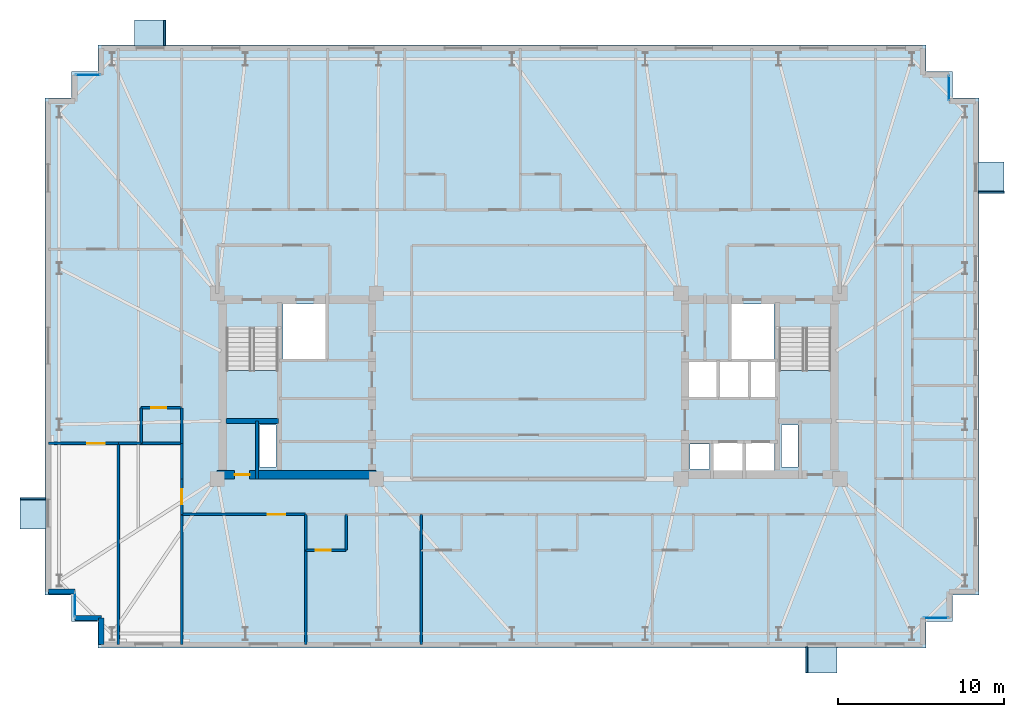
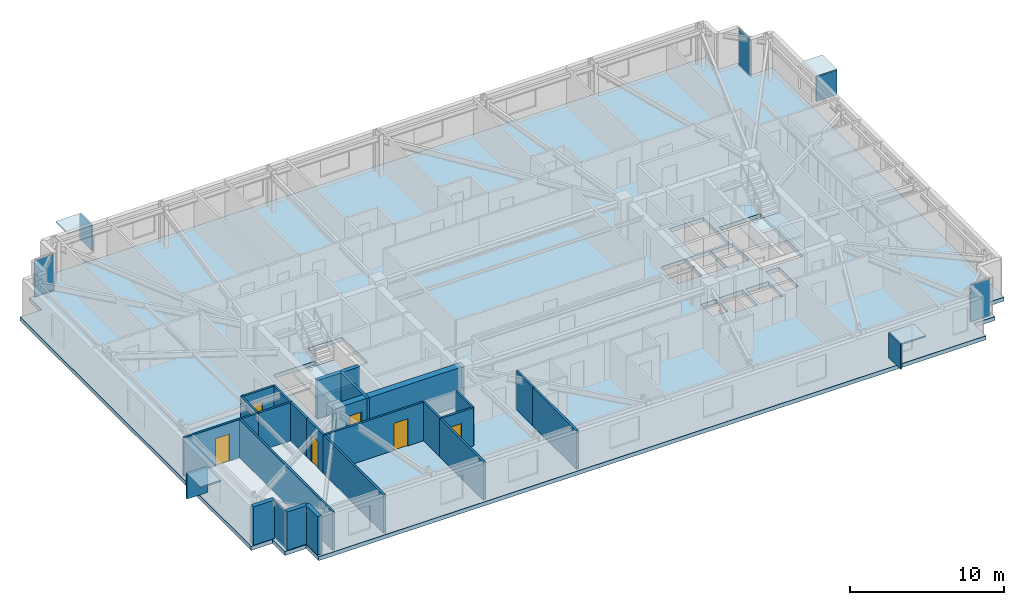
# One storey, part 10 of 17: 23 walls, 12 plates, 6 doors, 3 slabs, 6 openings, 6 elements without a shape of their own.
"""IFC4 building model written with IfcOpenShell, lengths in metres."""

from ifc_helpers import new_model, si_unit, direction, frame, frame_2d, origin, origin_2d, place, context, subcontext, project, spatial, polyline, rectangle, outline, extrude, material, layer, layer_set, type_object, element, fill, aggregate, save


model = new_model("IFC4")

# Units and contexts
model_context = context("Model", 3, precision=1e-05, world=origin(), true_north=direction((0.0, 1.0)))
body_context = subcontext(model_context, "Body", "Model", "MODEL_VIEW")
ifc_project = project(units=[si_unit("LENGTHUNIT", "METRE"), si_unit("AREAUNIT", "SQUARE_METRE"), si_unit("VOLUMEUNIT", "CUBIC_METRE"), si_unit("PLANEANGLEUNIT", "RADIAN"), si_unit("MASSUNIT", "GRAM", prefix="KILO")], contexts=[model_context])

# Site, building, storey
site_placement = place(None, origin())
site = spatial("IfcSite", under=ifc_project, at=site_placement, CompositionType="ELEMENT")
building_placement = place(site_placement, origin())
building = spatial("IfcBuilding", under=site, at=building_placement, Name="Qobustan Lattice House", CompositionType="ELEMENT")
storey_placement = place(building_placement, frame((0.0, 0.0, 157.800048828125)))
storey = spatial("IfcBuildingStorey", under=building, at=storey_placement, Name="L44", CompositionType="ELEMENT", Elevation=157.800048828125)

# Curtain wall, plate
ifc_material_1 = material(Name="Anodised aluminium and low-E glazing", Category="aluminium")
ifc_layer_1 = layer(ifc_material_1, 0.219970703125)
ifc_layer_set_1 = layer_set([ifc_layer_1], Name="Anodised aluminium and low-E glazing")
curtain_wall_type = type_object("IfcCurtainWallType", Name="CW-FAC-02", PredefinedType="USERDEFINED", material=ifc_layer_set_1)
curtain_wall_1_placement = place(storey_placement, origin())
curtain_wall_1 = element("IfcCurtainWall", 1, at=curtain_wall_1_placement, inside=storey, type_object=curtain_wall_type, Name="L44 serrated corner faceted glazing 3", ObjectType="CURTAIN WALL", PredefinedType="USERDEFINED")
ifc_material_2 = material(Name="Clear low-E laminated glass", Category="glass")
ifc_layer_2 = layer(ifc_material_2, 0.031982421875)
ifc_layer_set_2 = layer_set([ifc_layer_2], Name="Clear low-E laminated glass")
plate_type_1 = type_object("IfcPlateType", Name="CWP-VISION-32", PredefinedType="CURTAIN_PANEL", material=ifc_layer_set_2)
plate_1_placement = place(storey_placement, frame((-27.39990234375, -13.199951171875, 0.06494140625), z_axis=(0.0, 0.0, 1.0), x_axis=(0.0, 1.0, 0.0)))
plate_1 = element("IfcPlate", 2, at=plate_1_placement, type_object=plate_type_1, Name="CW-F2 panel 1.1", PredefinedType="CURTAIN_PANEL", context=body_context, shape_type="SweptSolid", body=[
    extrude(rectangle(XDim=1.4599609375, YDim=0.031982421875, at=origin_2d()), origin(), (0.0, 0.0, 1.0), 2.909912109375),
])
aggregate(curtain_wall_1, [plate_1])

curtain_wall_2_placement = place(storey_placement, origin())
curtain_wall_2 = element("IfcCurtainWall", 3, at=curtain_wall_2_placement, inside=storey, type_object=curtain_wall_type, Name="L44 serrated corner faceted glazing 8", ObjectType="CURTAIN WALL", PredefinedType="USERDEFINED")
plate_2_placement = place(storey_placement, frame((-26.60009765625, 18.800048828125, 0.06494140625), z_axis=(0.0, 0.0, 1.0), x_axis=(1.0, 0.0, 0.0)))
plate_2 = element("IfcPlate", 4, at=plate_2_placement, type_object=plate_type_1, Name="CW-F2 panel 1.1", PredefinedType="CURTAIN_PANEL", context=body_context, shape_type="SweptSolid", body=[
    extrude(rectangle(XDim=1.4599609375, YDim=0.031982421875, at=origin_2d()), origin(), (0.0, 0.0, 1.0), 2.909912109375),
])
aggregate(curtain_wall_2, [plate_2])

curtain_wall_3_placement = place(storey_placement, origin())
curtain_wall_3 = element("IfcCurtainWall", 5, at=curtain_wall_3_placement, inside=storey, type_object=curtain_wall_type, Name="L44 serrated corner faceted glazing 13", ObjectType="CURTAIN WALL", PredefinedType="USERDEFINED")
plate_3_placement = place(storey_placement, frame((25.39990234375, 18.0, 0.06494140625), z_axis=(0.0, 0.0, 1.0), x_axis=(0.0, -1.0, 0.0)))
plate_3 = element("IfcPlate", 6, at=plate_3_placement, type_object=plate_type_1, Name="CW-F2 panel 1.1", PredefinedType="CURTAIN_PANEL", context=body_context, shape_type="SweptSolid", body=[
    extrude(rectangle(XDim=1.4599609375, YDim=0.031982421875, at=origin_2d()), origin(), (0.0, 0.0, 1.0), 2.909912109375),
])
aggregate(curtain_wall_3, [plate_3])

curtain_wall_4_placement = place(storey_placement, origin())
curtain_wall_4 = element("IfcCurtainWall", 7, at=curtain_wall_4_placement, inside=storey, type_object=curtain_wall_type, Name="L44 serrated corner faceted glazing 18", ObjectType="CURTAIN WALL", PredefinedType="USERDEFINED")
plate_4_placement = place(storey_placement, frame((24.60009765625, -14.0, 0.06494140625), z_axis=(0.0, 0.0, 1.0), x_axis=(-1.0, 0.0, 0.0)))
plate_4 = element("IfcPlate", 8, at=plate_4_placement, type_object=plate_type_1, Name="CW-F2 panel 1.1", PredefinedType="CURTAIN_PANEL", context=body_context, shape_type="SweptSolid", body=[
    extrude(rectangle(XDim=1.4599609375, YDim=0.031982421875, at=origin_2d()), origin(), (0.0, 0.0, 1.0), 2.909912109375),
])
aggregate(curtain_wall_4, [plate_4])

# Plates
ifc_material_3 = material(Name="Qobustan limestone GFRC", Category="masonry")
ifc_layer_3 = layer(ifc_material_3, 0.1201171875)
ifc_layer_set_3 = layer_set([ifc_layer_3], Name="Qobustan limestone GFRC")
plate_type_2 = type_object("IfcPlateType", Name="SHD-HOOD-BROW", PredefinedType="USERDEFINED", material=ifc_layer_set_3)
plate_5_placement = place(storey_placement, frame((-29.929931640625, -7.679931640625, 2.699951171875), z_axis=(0.0, 0.0, 1.0), x_axis=(0.0, 1.0, 0.0)))
element("IfcPlate", 9, at=plate_5_placement, inside=storey, type_object=plate_type_2, Name="L44 splayed Qobustan stone hood brow", ObjectType="SUNSHADE", PredefinedType="USERDEFINED", context=body_context, shape_type="SweptSolid", body=[
    extrude(rectangle(XDim=1.889892578125, YDim=1.56005859375, at=origin_2d()), origin(), (0.0, 0.0, 1.0), 0.1201171875),
])
plate_6_placement = place(storey_placement, frame((-29.929931640625, -6.794921875, 0.7900390625), z_axis=(0.0, 0.0, 1.0), x_axis=(0.0, 1.0, 0.0)))
element("IfcPlate", 10, at=plate_6_placement, inside=storey, type_object=plate_type_2, Name="L44 splayed Qobustan stone hood cheek", ObjectType="SUNSHADE", PredefinedType="USERDEFINED", context=body_context, shape_type="SweptSolid", body=[
    extrude(rectangle(XDim=0.1201171875, YDim=1.56005859375, at=origin_2d()), origin(), (0.0, 0.0, 1.0), 1.969970703125),
])
plate_7_placement = place(storey_placement, frame((-22.840087890625, 21.330078125, 2.699951171875), z_axis=(0.0, 0.0, 1.0), x_axis=(1.0, 0.0, 0.0)))
element("IfcPlate", 11, at=plate_7_placement, inside=storey, type_object=plate_type_2, Name="L44 splayed Qobustan stone hood brow", ObjectType="SUNSHADE", PredefinedType="USERDEFINED", context=body_context, shape_type="SweptSolid", body=[
    extrude(rectangle(XDim=1.889892578125, YDim=1.56005859375, at=origin_2d()), origin(), (0.0, 0.0, 1.0), 0.1201171875),
])
plate_8_placement = place(storey_placement, frame((-21.955078125, 21.330078125, 0.7900390625), z_axis=(0.0, 0.0, 1.0), x_axis=(1.0, 0.0, 0.0)))
element("IfcPlate", 12, at=plate_8_placement, inside=storey, type_object=plate_type_2, Name="L44 splayed Qobustan stone hood cheek", ObjectType="SUNSHADE", PredefinedType="USERDEFINED", context=body_context, shape_type="SweptSolid", body=[
    extrude(rectangle(XDim=0.1201171875, YDim=1.56005859375, at=origin_2d()), origin(), (0.0, 0.0, 1.0), 1.969970703125),
])
plate_9_placement = place(storey_placement, frame((27.929931640625, 12.60009765625, 2.699951171875), z_axis=(0.0, 0.0, 1.0), x_axis=(0.0, -1.0, 0.0)))
element("IfcPlate", 13, at=plate_9_placement, inside=storey, type_object=plate_type_2, Name="L44 splayed Qobustan stone hood brow", ObjectType="SUNSHADE", PredefinedType="USERDEFINED", context=body_context, shape_type="SweptSolid", body=[
    extrude(rectangle(XDim=1.889892578125, YDim=1.56005859375, at=origin_2d()), origin(), (0.0, 0.0, 1.0), 0.1201171875),
])
plate_10_placement = place(storey_placement, frame((27.929931640625, 11.715087890625, 0.7900390625), z_axis=(0.0, 0.0, 1.0), x_axis=(0.0, -1.0, 0.0)))
element("IfcPlate", 14, at=plate_10_placement, inside=storey, type_object=plate_type_2, Name="L44 splayed Qobustan stone hood cheek", ObjectType="SUNSHADE", PredefinedType="USERDEFINED", context=body_context, shape_type="SweptSolid", body=[
    extrude(rectangle(XDim=0.1201171875, YDim=1.56005859375, at=origin_2d()), origin(), (0.0, 0.0, 1.0), 1.969970703125),
])
plate_11_placement = place(storey_placement, frame((17.679931640625, -16.530029296875, 2.699951171875), z_axis=(0.0, 0.0, 1.0), x_axis=(-1.0, 0.0, 0.0)))
element("IfcPlate", 15, at=plate_11_placement, inside=storey, type_object=plate_type_2, Name="L44 splayed Qobustan stone hood brow", ObjectType="SUNSHADE", PredefinedType="USERDEFINED", context=body_context, shape_type="SweptSolid", body=[
    extrude(rectangle(XDim=1.889892578125, YDim=1.56005859375, at=origin_2d()), origin(), (0.0, 0.0, 1.0), 0.1201171875),
])
plate_12_placement = place(storey_placement, frame((16.794921875, -16.530029296875, 0.7900390625), z_axis=(0.0, 0.0, 1.0), x_axis=(-1.0, 0.0, 0.0)))
element("IfcPlate", 16, at=plate_12_placement, inside=storey, type_object=plate_type_2, Name="L44 splayed Qobustan stone hood cheek", ObjectType="SUNSHADE", PredefinedType="USERDEFINED", context=body_context, shape_type="SweptSolid", body=[
    extrude(rectangle(XDim=0.1201171875, YDim=1.56005859375, at=origin_2d()), origin(), (0.0, 0.0, 1.0), 1.969970703125),
])

# Slab
ifc_material_4 = material(Name="Concrete C40/50", Category="concrete")
ifc_layer_4 = layer(ifc_material_4, 0.31005859375)
ifc_layer_set_4 = layer_set([ifc_layer_4], Name="Concrete C40/50")
slab_type_1 = type_object("IfcSlabType", Name="SLB-FLR-310", PredefinedType="FLOOR", material=ifc_layer_set_4)
slab_1_placement = place(storey_placement, frame((0.0, 0.0, -0.31005859375)))
element("IfcSlab", 17, at=slab_1_placement, inside=storey, type_object=slab_type_1, Name="L44 structural floor slab", PredefinedType="FLOOR", context=body_context, shape_type="SweptSolid", body=[
    extrude(outline(polyline([(-26.0, -15.800048828125), (24.0, -15.800048828125), (24.0, -14.199951171875), (25.60009765625, -14.199951171875), (25.60009765625, -12.60009765625), (27.199951171875, -12.60009765625), (27.199951171875, 17.39990234375), (25.60009765625, 17.39990234375), (25.60009765625, 19.0), (24.0, 19.0), (24.0, 20.60009765625), (-26.0, 20.60009765625), (-26.0, 19.0), (-27.60009765625, 19.0), (-27.60009765625, 17.39990234375), (-29.199951171875, 17.39990234375), (-29.199951171875, -12.60009765625), (-27.60009765625, -12.60009765625), (-27.60009765625, -14.199951171875), (-26.0, -14.199951171875), (-26.0, -15.800048828125)]), holes=[polyline([(-18.25, -2.050048828125), (-18.25, 3.489990234375), (-15.1298828125, 3.489990234375), (-15.1298828125, -2.050048828125), (-18.25, -2.050048828125)]), polyline([(15.1298828125, -2.050048828125), (15.1298828125, 3.489990234375), (18.25, 3.489990234375), (18.25, -2.050048828125), (15.1298828125, -2.050048828125)]), polyline([(-14.820068359375, 1.64990234375), (-14.820068359375, 4.9599609375), (-12.25, 4.9599609375), (-12.25, 1.64990234375), (-14.820068359375, 1.64990234375)]), polyline([(12.25, 1.64990234375), (12.25, 4.9599609375), (14.820068359375, 4.9599609375), (14.820068359375, 1.64990234375), (12.25, 1.64990234375)]), polyline([(-16.260009765625, -4.8798828125), (-16.260009765625, -2.360107421875), (-15.260009765625, -2.360107421875), (-15.260009765625, -4.8798828125), (-16.260009765625, -4.8798828125)]), polyline([(15.260009765625, -4.8798828125), (15.260009765625, -2.360107421875), (16.260009765625, -2.360107421875), (16.260009765625, -4.8798828125), (15.260009765625, -4.8798828125)]), polyline([(11.179931640625, -5.35009765625), (11.179931640625, -3.419921875), (12.919921875, -3.419921875), (12.919921875, -5.35009765625), (11.179931640625, -5.35009765625)]), polyline([(13.1201171875, -5.35009765625), (13.1201171875, -3.419921875), (14.85009765625, -3.419921875), (14.85009765625, -5.35009765625), (13.1201171875, -5.35009765625)]), polyline([(9.760009765625, -5.0), (9.760009765625, -3.47998046875), (10.93994140625, -3.47998046875), (10.93994140625, -5.0), (9.760009765625, -5.0)]), polyline([(13.360107421875, -0.679931640625), (13.360107421875, 1.47998046875), (14.97998046875, 1.47998046875), (14.97998046875, -0.679931640625), (13.360107421875, -0.679931640625)]), polyline([(9.6201171875, -0.679931640625), (9.6201171875, 1.47998046875), (11.43994140625, 1.47998046875), (11.43994140625, -0.679931640625), (9.6201171875, -0.679931640625)]), polyline([(11.5, -0.679931640625), (11.5, 1.47998046875), (13.320068359375, 1.47998046875), (13.320068359375, -0.679931640625), (11.5, -0.679931640625)])]), origin(), (0.0, 0.0, 1.0), 0.31005859375),
])

# Stair, slab
ifc_material_5 = material(Name="Concrete C40/50", Category="concrete")
stair_type = type_object("IfcStairType", Name="STR-CORE-DOGLEG", PredefinedType="HALF_TURN_STAIR", material=ifc_material_5)
stair_1_placement = place(storey_placement, origin())
stair_1 = element("IfcStair", 18, at=stair_1_placement, inside=storey, type_object=stair_type, Name="L44 West protected exit stair ST-W1", PredefinedType="HALF_TURN_STAIR")
ifc_material_6 = material(Name="Concrete C40/50", Category="concrete")
ifc_layer_5 = layer(ifc_material_6, 0.199951171875)
ifc_layer_set_5 = layer_set([ifc_layer_5], Name="Concrete C40/50")
slab_type_2 = type_object("IfcSlabType", Name="SLB-LANDING-200", PredefinedType="LANDING", material=ifc_layer_set_5)
slab_2_placement = place(storey_placement, frame((0.0, 0.0, 1.474853515625)))
slab_2 = element("IfcSlab", 19, at=slab_2_placement, type_object=slab_type_2, Name="ST-W1 landing 1", PredefinedType="LANDING", context=body_context, shape_type="SweptSolid", body=[
    extrude(outline(polyline([(-18.25, 0.93505859375), (-18.25, -2.050048828125), (-15.1298828125, -2.050048828125), (-15.1298828125, 0.93505859375), (-18.25, 0.93505859375)])), origin(), (0.0, 0.0, 1.0), 0.2001953125),
])
aggregate(stair_1, [slab_2])

stair_2_placement = place(storey_placement, origin())
stair_2 = element("IfcStair", 20, at=stair_2_placement, inside=storey, type_object=stair_type, Name="L44 East protected exit stair ST-E1", PredefinedType="HALF_TURN_STAIR")
slab_3_placement = place(storey_placement, frame((0.0, 0.0, 1.474853515625)))
slab_3 = element("IfcSlab", 21, at=slab_3_placement, type_object=slab_type_2, Name="ST-E1 landing 1", PredefinedType="LANDING", context=body_context, shape_type="SweptSolid", body=[
    extrude(outline(polyline([(15.1298828125, 0.93505859375), (15.1298828125, -2.050048828125), (18.25, -2.050048828125), (18.25, 0.93505859375), (15.1298828125, 0.93505859375)])), origin(), (0.0, 0.0, 1.0), 0.2001953125),
])
aggregate(stair_2, [slab_3])

# Wall, opening, door
ifc_material_7 = material(Name="Concrete C50/60", Category="concrete")
ifc_layer_6 = layer(ifc_material_7, 0.5)
ifc_layer_set_6 = layer_set([ifc_layer_6], Name="Concrete C50/60")
wall_type_1 = type_object("IfcWallType", Name="WAL-CORE-500", PredefinedType="SHEAR", material=ifc_layer_set_6)
wall_1_placement = place(storey_placement, frame((-18.800048828125, -5.35009765625, 0.0), z_axis=(0.0, 0.0, 1.0), x_axis=(1.0, 0.0, 0.0)))
wall_1 = element("IfcWall", 22, at=wall_1_placement, inside=storey, type_object=wall_type_1, Name="L44 split-core shear wall CW-S", PredefinedType="SHEAR", context=body_context, shape_type="SweptSolid", body=[
    extrude(rectangle(XDim=9.60009765625, YDim=0.5, at=frame_2d((4.800048828125, 0.0))), origin(), (0.0, 0.0, 1.0), 3.0400390625),
])
opening_1_placement = place(wall_1_placement, frame((1.050048828125, 0.0, 0.0)))
opening_1 = element("IfcOpeningElement", 23, at=opening_1_placement, cuts=wall_1, Name="Opening RD-01", PredefinedType="OPENING", context=body_context, shape_type="SweptSolid", body=[
    extrude(rectangle(XDim=0.89990234375, YDim=2.10009765625, at=frame_2d((0.449951171875, 1.050048828125))), frame((0.0, 0.260009765625, 0.0), z_axis=(0.0, -1.0, 0.0), x_axis=(1.0, 0.0, 0.0)), (0.0, 0.0, 1.0), 0.52001953125),
])
ifc_material_8 = material(Name="Persian walnut timber and steel frame door", Category="steel")
door_type_1 = type_object("IfcDoorType", Name="DOR-RISER-FD-900x2100", OperationType="NOTDEFINED", PredefinedType="DOOR", material=ifc_material_8)
door_1_placement = place(opening_1_placement, origin())
door_1 = element("IfcDoor", 24, at=door_1_placement, inside=storey, type_object=door_type_1, Name="L44 core service riser access door W", OperationType="SINGLE_SWING_LEFT", OverallHeight=2.10009765625, OverallWidth=0.89990234375, PredefinedType="DOOR", context=body_context, shape_type="SweptSolid", body=[
    extrude(rectangle(XDim=0.89990234375, YDim=2.10009765625, at=frame_2d((0.449951171875, 1.050048828125))), frame((0.0, 0.02490234375, 0.0), z_axis=(0.0, -1.0, 0.0), x_axis=(1.0, 0.0, 0.0)), (0.0, 0.0, 1.0), 0.050048828125),
])
fill(opening_1, door_1)

# Walls
ifc_material_9 = material(Name="Concrete C50/60", Category="concrete")
ifc_layer_7 = layer(ifc_material_9, 0.280029296875)
ifc_layer_set_7 = layer_set([ifc_layer_7], Name="Concrete C50/60")
wall_type_2 = type_object("IfcWallType", Name="WAL-CORE-SPINE-280", PredefinedType="SHEAR", material=ifc_layer_set_7)
wall_2_placement = place(storey_placement, frame((-18.280029296875, -2.110107421875, 0.0), z_axis=(0.0, 0.0, 1.0), x_axis=(1.0, 0.0, 0.0)))
element("IfcWall", 25, at=wall_2_placement, inside=storey, type_object=wall_type_2, Name="L44 split-core shear wall CW-ST", PredefinedType="SHEAR", context=body_context, shape_type="SweptSolid", body=[
    extrude(rectangle(XDim=3.179931640625, YDim=0.300048828125, at=frame_2d((1.58984375, 0.0))), origin(), (0.0, 0.0, 1.0), 3.0400390625),
])
ifc_material_10 = material(Name="Precast concrete C40/50", Category="concrete")
ifc_layer_8 = layer(ifc_material_10, 0.320068359375)
ifc_layer_set_8 = layer_set([ifc_layer_8], Name="Precast concrete C40/50")
wall_type_3 = type_object("IfcWallType", Name="WAL-EXT-STONE-320", PredefinedType="SOLIDWALL", material=ifc_layer_set_8)
wall_3_placement = place(storey_placement, frame((-25.800048828125, -15.60009765625, 0.0), z_axis=(0.0, 0.0, 1.0), x_axis=(0.0, 1.0, 0.0)))
element("IfcWall", 26, at=wall_3_placement, inside=storey, type_object=wall_type_3, Name="L44 exterior limestone-clad wall 1", PredefinedType="SOLIDWALL", context=body_context, shape_type="SweptSolid", body=[
    extrude(rectangle(XDim=1.60009765625, YDim=0.320068359375, at=frame_2d((0.800048828125, 0.0))), origin(), (0.0, 0.0, 1.0), 3.0400390625),
])
wall_4_placement = place(storey_placement, frame((-25.800048828125, -14.0, 0.0), z_axis=(0.0, 0.0, 1.0), x_axis=(-1.0, 0.0, 0.0)))
element("IfcWall", 27, at=wall_4_placement, inside=storey, type_object=wall_type_3, Name="L44 exterior limestone-clad wall 2", PredefinedType="SOLIDWALL", context=body_context, shape_type="SweptSolid", body=[
    extrude(rectangle(XDim=1.599853515625, YDim=0.320068359375, at=frame_2d((0.7998046875, 0.0))), origin(), (0.0, 0.0, 1.0), 3.0400390625),
])
wall_5_placement = place(storey_placement, frame((-27.39990234375, -12.39990234375, 0.0), z_axis=(0.0, 0.0, 1.0), x_axis=(-1.0, 0.0, 0.0)))
element("IfcWall", 28, at=wall_5_placement, inside=storey, type_object=wall_type_3, Name="L44 exterior limestone-clad wall 4", PredefinedType="SOLIDWALL", context=body_context, shape_type="SweptSolid", body=[
    extrude(rectangle(XDim=1.60009765625, YDim=0.320068359375, at=frame_2d((0.800048828125, 0.0))), origin(), (0.0, 0.0, 1.0), 3.0400390625),
])

# Wall, opening, door
ifc_material_11 = material(Name="Acoustic twin-stud gypsum partition", Category="gypsum")
ifc_layer_9 = layer(ifc_material_11, 0.14990234375)
ifc_layer_set_9 = layer_set([ifc_layer_9], Name="Acoustic twin-stud gypsum partition")
wall_type_4 = type_object("IfcWallType", Name="WAL-PART-150", PredefinedType="PARTITIONING", material=ifc_layer_set_9)
wall_6_placement = place(storey_placement, frame((-20.949951171875, -7.75, 0.0), z_axis=(0.0, 0.0, 1.0), x_axis=(0.0, 1.0, 0.0)))
wall_6 = element("IfcWall", 29, at=wall_6_placement, inside=storey, type_object=wall_type_4, Name="L44 interior partition 46", PredefinedType="PARTITIONING", context=body_context, shape_type="SweptSolid", body=[
    extrude(rectangle(XDim=2.14990234375, YDim=0.14990234375, at=frame_2d((1.074951171875, 0.0))), origin(), (0.0, 0.0, 1.0), 3.0400390625),
])
opening_2_placement = place(wall_6_placement, frame((0.625, 0.0, 0.0)))
opening_2 = element("IfcOpeningElement", 30, at=opening_2_placement, cuts=wall_6, Name="Opening WD-01", PredefinedType="OPENING", context=body_context, shape_type="SweptSolid", body=[
    extrude(rectangle(XDim=0.89990234375, YDim=2.10009765625, at=frame_2d((0.449951171875, 1.050048828125))), frame((0.0, 0.0849609375, 0.0), z_axis=(0.0, -1.0, 0.0), x_axis=(1.0, 0.0, 0.0)), (0.0, 0.0, 1.0), 0.169921875),
])
ifc_material_12 = material(Name="Persian walnut timber and steel frame door", Category="steel")
door_type_2 = type_object("IfcDoorType", Name="DOR-WET-900x2100", OperationType="NOTDEFINED", PredefinedType="DOOR", material=ifc_material_12)
door_2_placement = place(opening_2_placement, origin())
door_2 = element("IfcDoor", 31, at=door_2_placement, inside=storey, type_object=door_type_2, Name="L44 South-west floor corridor to Focus study room W1B door", OperationType="SINGLE_SWING_LEFT", OverallHeight=2.10009765625, OverallWidth=0.89990234375, PredefinedType="DOOR", context=body_context, shape_type="SweptSolid", body=[
    extrude(rectangle(XDim=0.89990234375, YDim=2.10009765625, at=frame_2d((0.449951171875, 1.050048828125))), frame((0.0, 0.02490234375, 0.0), z_axis=(0.0, -1.0, 0.0), x_axis=(1.0, 0.0, 0.0)), (0.0, 0.0, 1.0), 0.050048828125),
])
fill(opening_2, door_2)

wall_7_placement = place(storey_placement, frame((-13.467041015625, -7.75, 0.0), z_axis=(0.0, 0.0, 1.0), x_axis=(-1.0, 0.0, 0.0)))
wall_7 = element("IfcWall", 32, at=wall_7_placement, inside=storey, type_object=wall_type_4, Name="L44 interior partition 47", PredefinedType="PARTITIONING", context=body_context, shape_type="SweptSolid", body=[
    extrude(rectangle(XDim=7.48291015625, YDim=0.14990234375, at=frame_2d((3.741455078125, 0.0))), origin(), (0.0, 0.0, 1.0), 3.0400390625),
])
opening_3_placement = place(wall_7_placement, frame((1.239013671875, 0.0, 0.0)))
opening_3 = element("IfcOpeningElement", 33, at=opening_3_placement, cuts=wall_7, Name="Opening ID-02", PredefinedType="OPENING", context=body_context, shape_type="SweptSolid", body=[
    extrude(rectangle(XDim=1.050048828125, YDim=2.14990234375, at=frame_2d((0.52490234375, 1.074951171875))), frame((0.0, 0.0849609375, 0.0), z_axis=(0.0, -1.0, 0.0), x_axis=(1.0, 0.0, 0.0)), (0.0, 0.0, 1.0), 0.169921875),
])
ifc_material_13 = material(Name="Persian walnut timber and steel frame door", Category="steel")
door_type_3 = type_object("IfcDoorType", Name="DOR-STUDY-1050x2150", OperationType="NOTDEFINED", PredefinedType="DOOR", material=ifc_material_13)
door_3_placement = place(opening_3_placement, origin())
door_3 = element("IfcDoor", 34, at=door_3_placement, inside=storey, type_object=door_type_3, Name="L44 South-west floor corridor to Focus study room S1 door", OperationType="SINGLE_SWING_RIGHT", OverallHeight=2.14990234375, OverallWidth=1.050048828125, PredefinedType="DOOR", context=body_context, shape_type="SweptSolid", body=[
    extrude(rectangle(XDim=1.050048828125, YDim=2.14990234375, at=frame_2d((0.52490234375, 1.074951171875))), frame((0.0, 0.02490234375, 0.0), z_axis=(0.0, -1.0, 0.0), x_axis=(1.0, 0.0, 0.0)), (0.0, 0.0, 1.0), 0.050048828125),
])
fill(opening_3, door_3)

# Walls
wall_8_placement = place(storey_placement, frame((-20.949951171875, -5.60009765625, 0.0), z_axis=(0.0, 0.0, 1.0), x_axis=(0.0, 1.0, 0.0)))
element("IfcWall", 35, at=wall_8_placement, inside=storey, type_object=wall_type_4, Name="L44 interior partition 61", PredefinedType="PARTITIONING", context=body_context, shape_type="SweptSolid", body=[
    extrude(rectangle(XDim=2.14013671875, YDim=0.14990234375, at=frame_2d((1.070068359375, 0.0))), origin(), (0.0, 0.0, 1.0), 3.0400390625),
])
wall_9_placement = place(storey_placement, frame((-24.764892578125, -3.4599609375, 0.0), z_axis=(0.0, 0.0, 1.0), x_axis=(0.0, -1.0, 0.0)))
element("IfcWall", 36, at=wall_9_placement, inside=storey, type_object=wall_type_4, Name="L44 interior partition 71", PredefinedType="PARTITIONING", context=body_context, shape_type="SweptSolid", body=[
    extrude(rectangle(XDim=12.14013671875, YDim=0.14990234375, at=frame_2d((6.070068359375, 0.0))), origin(), (0.0, 0.0, 1.0), 3.0400390625),
])

# Wall, opening, door
wall_10_placement = place(storey_placement, frame((-29.0, -3.4599609375, 0.0), z_axis=(0.0, 0.0, 1.0), x_axis=(1.0, 0.0, 0.0)))
wall_10 = element("IfcWall", 37, at=wall_10_placement, inside=storey, type_object=wall_type_4, Name="L44 interior partition 72", PredefinedType="PARTITIONING", context=body_context, shape_type="SweptSolid", body=[
    extrude(rectangle(XDim=4.235107421875, YDim=0.14990234375, at=frame_2d((2.11767578125, 0.0))), origin(), (0.0, 0.0, 1.0), 3.0400390625),
])
opening_4_placement = place(wall_10_placement, frame((2.351806640625, 0.0, 0.0)))
opening_4 = element("IfcOpeningElement", 38, at=opening_4_placement, cuts=wall_10, Name="Opening ID-02", PredefinedType="OPENING", context=body_context, shape_type="SweptSolid", body=[
    extrude(rectangle(XDim=1.050048828125, YDim=2.14990234375, at=frame_2d((0.52490234375, 1.074951171875))), frame((0.0, 0.0849609375, 0.0), z_axis=(0.0, -1.0, 0.0), x_axis=(1.0, 0.0, 0.0)), (0.0, 0.0, 1.0), 0.169921875),
])
door_4_placement = place(opening_4_placement, origin())
door_4 = element("IfcDoor", 39, at=door_4_placement, inside=storey, type_object=door_type_3, Name="L44 Focus study room W1A to Kitchenette and studio apartment L44-W2 door", OperationType="SINGLE_SWING_LEFT", OverallHeight=2.14990234375, OverallWidth=1.050048828125, PredefinedType="DOOR", context=body_context, shape_type="SweptSolid", body=[
    extrude(rectangle(XDim=1.050048828125, YDim=2.14990234375, at=frame_2d((0.52490234375, 1.074951171875))), frame((0.0, 0.02490234375, 0.0), z_axis=(0.0, -1.0, 0.0), x_axis=(1.0, 0.0, 0.0)), (0.0, 0.0, 1.0), 0.050048828125),
])
fill(opening_4, door_4)

# Walls
wall_11_placement = place(storey_placement, frame((-24.764892578125, -3.4599609375, 0.0), z_axis=(0.0, 0.0, 1.0), x_axis=(1.0, 0.0, 0.0)))
element("IfcWall", 40, at=wall_11_placement, inside=storey, type_object=wall_type_4, Name="L44 interior partition 73", PredefinedType="PARTITIONING", context=body_context, shape_type="SweptSolid", body=[
    extrude(rectangle(XDim=1.364990234375, YDim=0.14990234375, at=frame_2d((0.6826171875, 0.0))), origin(), (0.0, 0.0, 1.0), 3.0400390625),
])
wall_12_placement = place(storey_placement, frame((-20.949951171875, -7.75, 0.0), z_axis=(0.0, 0.0, 1.0), x_axis=(0.0, -1.0, 0.0)))
element("IfcWall", 41, at=wall_12_placement, inside=storey, type_object=wall_type_4, Name="L44 interior partition 75", PredefinedType="PARTITIONING", context=body_context, shape_type="SweptSolid", body=[
    extrude(rectangle(XDim=7.85009765625, YDim=0.14990234375, at=frame_2d((3.925048828125, 0.0))), origin(), (0.0, 0.0, 1.0), 3.0400390625),
])
for number, where, z_axis, x_axis, name in (
    (42, (-13.467041015625, -9.89990234375, 0.0), (0.0, 0.0, 1.0), (0.0, -1.0, 0.0), "L44 interior partition 112"),
    (43, (-6.48291015625, -9.89990234375, 0.0), (0.0, 0.0, 1.0), (0.0, -1.0, 0.0), "L44 interior partition 116"),
):
    element("IfcWall", number, at=place(storey_placement, frame(where, z_axis=z_axis, x_axis=x_axis)), inside=storey, type_object=wall_type_4, Name=name, PredefinedType="PARTITIONING", context=body_context, shape_type="SweptSolid", body=[
        extrude(rectangle(XDim=5.7001953125, YDim=0.14990234375, at=frame_2d((2.85009765625, 0.0))), origin(), (0.0, 0.0, 1.0), 3.0400390625),
    ])
ifc_material_14 = material(Name="Concrete C40/50", Category="concrete")
ifc_layer_10 = layer(ifc_material_14, 0.199951171875)
ifc_layer_set_10 = layer_set([ifc_layer_10], Name="Concrete C40/50")
wall_type_5 = type_object("IfcWallType", Name="WAL-SHAFT-200", PredefinedType="PARTITIONING", material=ifc_layer_set_10)
wall_13_placement = place(storey_placement, frame((-16.39990234375, -5.60009765625, 0.0), z_axis=(0.0, 0.0, 1.0), x_axis=(0.0, 1.0, 0.0)))
element("IfcWall", 44, at=wall_13_placement, inside=storey, type_object=wall_type_5, Name="L44 interior partition 1", PredefinedType="PARTITIONING", context=body_context, shape_type="SweptSolid", body=[
    extrude(rectangle(XDim=3.489990234375, YDim=0.199951171875, at=frame_2d((1.7451171875, 0.0))), origin(), (0.0, 0.0, 1.0), 3.0400390625),
])
ifc_material_15 = material(Name="Moisture-resistant acoustic plumbing wall", Category="gypsum")
ifc_layer_11 = layer(ifc_material_15, 0.14990234375)
ifc_layer_set_11 = layer_set([ifc_layer_11], Name="Moisture-resistant acoustic plumbing wall")
wall_type_6 = type_object("IfcWallType", Name="WAL-WET-150", PredefinedType="PLUMBINGWALL", material=ifc_layer_set_11)
wall_14_placement = place(storey_placement, frame((-20.949951171875, -3.4599609375, 0.0), z_axis=(0.0, 0.0, 1.0), x_axis=(0.0, 1.0, 0.0)))
element("IfcWall", 45, at=wall_14_placement, inside=storey, type_object=wall_type_6, Name="L44 interior partition 63", PredefinedType="PLUMBINGWALL", context=body_context, shape_type="SweptSolid", body=[
    extrude(rectangle(XDim=2.14990234375, YDim=0.14990234375, at=frame_2d((1.074951171875, 0.0))), origin(), (0.0, 0.0, 1.0), 3.0400390625),
])
wall_15_placement = place(storey_placement, frame((-23.39990234375, -3.4599609375, 0.0), z_axis=(0.0, 0.0, 1.0), x_axis=(1.0, 0.0, 0.0)))
element("IfcWall", 46, at=wall_15_placement, inside=storey, type_object=wall_type_6, Name="L44 interior partition 74", PredefinedType="PLUMBINGWALL", context=body_context, shape_type="SweptSolid", body=[
    extrude(rectangle(XDim=2.449951171875, YDim=0.14990234375, at=frame_2d((1.22509765625, 0.0))), origin(), (0.0, 0.0, 1.0), 3.0400390625),
])

# Wall, opening, door
wall_16_placement = place(storey_placement, frame((-20.949951171875, -1.31005859375, 0.0), z_axis=(0.0, 0.0, 1.0), x_axis=(-1.0, 0.0, 0.0)))
wall_16 = element("IfcWall", 47, at=wall_16_placement, inside=storey, type_object=wall_type_6, Name="L44 interior partition 76", PredefinedType="PLUMBINGWALL", context=body_context, shape_type="SweptSolid", body=[
    extrude(rectangle(XDim=2.449951171875, YDim=0.14990234375, at=frame_2d((1.22509765625, 0.0))), origin(), (0.0, 0.0, 1.0), 3.0400390625),
])
opening_5_placement = place(wall_16_placement, frame((0.921142578125, 0.0, 0.0)))
opening_5 = element("IfcOpeningElement", 48, at=opening_5_placement, cuts=wall_16, Name="Opening WD-01", PredefinedType="OPENING", context=body_context, shape_type="SweptSolid", body=[
    extrude(rectangle(XDim=0.89990234375, YDim=2.10009765625, at=frame_2d((0.449951171875, 1.050048828125))), frame((0.0, 0.0849609375, 0.0), z_axis=(0.0, -1.0, 0.0), x_axis=(1.0, 0.0, 0.0)), (0.0, 0.0, 1.0), 0.169921875),
])
door_5_placement = place(opening_5_placement, origin())
door_5 = element("IfcDoor", 49, at=door_5_placement, inside=storey, type_object=door_type_2, Name="L44 Kitchenette and studio apartment L44-W2 to En-suite bathroom L44-W2 door", OperationType="SINGLE_SWING_RIGHT", OverallHeight=2.10009765625, OverallWidth=0.89990234375, PredefinedType="DOOR", context=body_context, shape_type="SweptSolid", body=[
    extrude(rectangle(XDim=0.89990234375, YDim=2.10009765625, at=frame_2d((0.449951171875, 1.050048828125))), frame((0.0, 0.02490234375, 0.0), z_axis=(0.0, -1.0, 0.0), x_axis=(1.0, 0.0, 0.0)), (0.0, 0.0, 1.0), 0.050048828125),
])
fill(opening_5, door_5)

# Walls
for number, where, z_axis, x_axis, name in (
    (50, (-23.39990234375, -1.31005859375, 0.0), (0.0, 0.0, 1.0), (0.0, -1.0, 0.0), "L44 interior partition 77"),
    (51, (-13.467041015625, -7.75, 0.0), (0.0, 0.0, 1.0), (0.0, -1.0, 0.0), "L44 interior partition 113"),
):
    element("IfcWall", number, at=place(storey_placement, frame(where, z_axis=z_axis, x_axis=x_axis)), inside=storey, type_object=wall_type_6, Name=name, PredefinedType="PLUMBINGWALL", context=body_context, shape_type="SweptSolid", body=[
        extrude(rectangle(XDim=2.14990234375, YDim=0.14990234375, at=frame_2d((1.074951171875, 0.0))), origin(), (0.0, 0.0, 1.0), 3.0400390625),
    ])

# Wall, opening, door
wall_17_placement = place(storey_placement, frame((-13.467041015625, -9.89990234375, 0.0), z_axis=(0.0, 0.0, 1.0), x_axis=(1.0, 0.0, 0.0)))
wall_17 = element("IfcWall", 52, at=wall_17_placement, inside=storey, type_object=wall_type_6, Name="L44 interior partition 114", PredefinedType="PLUMBINGWALL", context=body_context, shape_type="SweptSolid", body=[
    extrude(rectangle(XDim=2.449951171875, YDim=0.14990234375, at=frame_2d((1.22509765625, 0.0))), origin(), (0.0, 0.0, 1.0), 3.0400390625),
])
opening_6_placement = place(wall_17_placement, frame((0.62890625, 0.0, 0.0)))
opening_6 = element("IfcOpeningElement", 53, at=opening_6_placement, cuts=wall_17, Name="Opening WD-01", PredefinedType="OPENING", context=body_context, shape_type="SweptSolid", body=[
    extrude(rectangle(XDim=0.89990234375, YDim=2.10009765625, at=frame_2d((0.449951171875, 1.050048828125))), frame((0.0, 0.0849609375, 0.0), z_axis=(0.0, -1.0, 0.0), x_axis=(1.0, 0.0, 0.0)), (0.0, 0.0, 1.0), 0.169921875),
])
door_6_placement = place(opening_6_placement, origin())
door_6 = element("IfcDoor", 54, at=door_6_placement, inside=storey, type_object=door_type_2, Name="L44 Kitchenette and studio apartment L44-S2 to En-suite bathroom L44-S2 door", OperationType="SINGLE_SWING_RIGHT", OverallHeight=2.10009765625, OverallWidth=0.89990234375, PredefinedType="DOOR", context=body_context, shape_type="SweptSolid", body=[
    extrude(rectangle(XDim=0.89990234375, YDim=2.10009765625, at=frame_2d((0.449951171875, 1.050048828125))), frame((0.0, 0.02490234375, 0.0), z_axis=(0.0, -1.0, 0.0), x_axis=(1.0, 0.0, 0.0)), (0.0, 0.0, 1.0), 0.050048828125),
])
fill(opening_6, door_6)

# Walls
for number, where, z_axis, x_axis, name in (
    (55, (-11.01708984375, -9.89990234375, 0.0), (0.0, 0.0, 1.0), (0.0, 1.0, 0.0), "L44 interior partition 115"),
    (56, (-6.48291015625, -7.75, 0.0), (0.0, 0.0, 1.0), (0.0, -1.0, 0.0), "L44 interior partition 117"),
):
    element("IfcWall", number, at=place(storey_placement, frame(where, z_axis=z_axis, x_axis=x_axis)), inside=storey, type_object=wall_type_6, Name=name, PredefinedType="PLUMBINGWALL", context=body_context, shape_type="SweptSolid", body=[
        extrude(rectangle(XDim=2.14990234375, YDim=0.14990234375, at=frame_2d((1.074951171875, 0.0))), origin(), (0.0, 0.0, 1.0), 3.0400390625),
    ])

save(model, "model.ifc")
